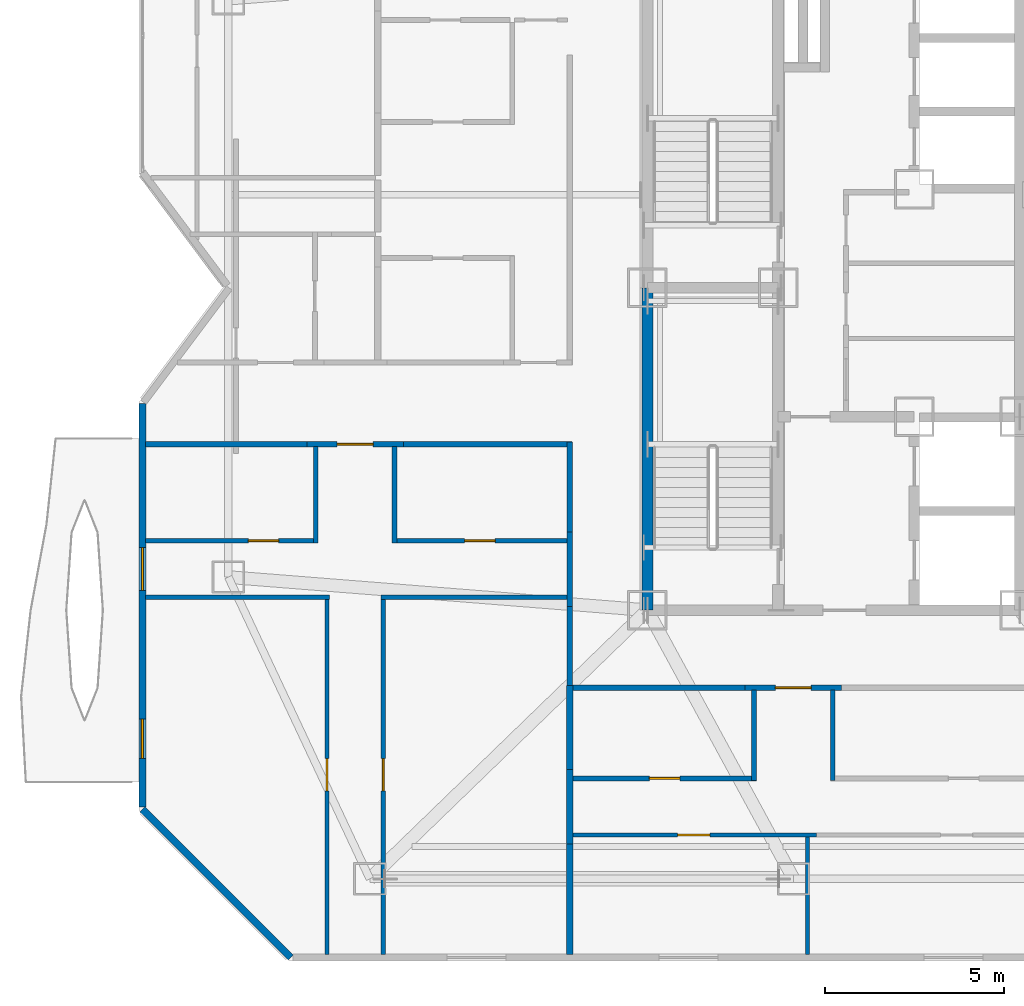
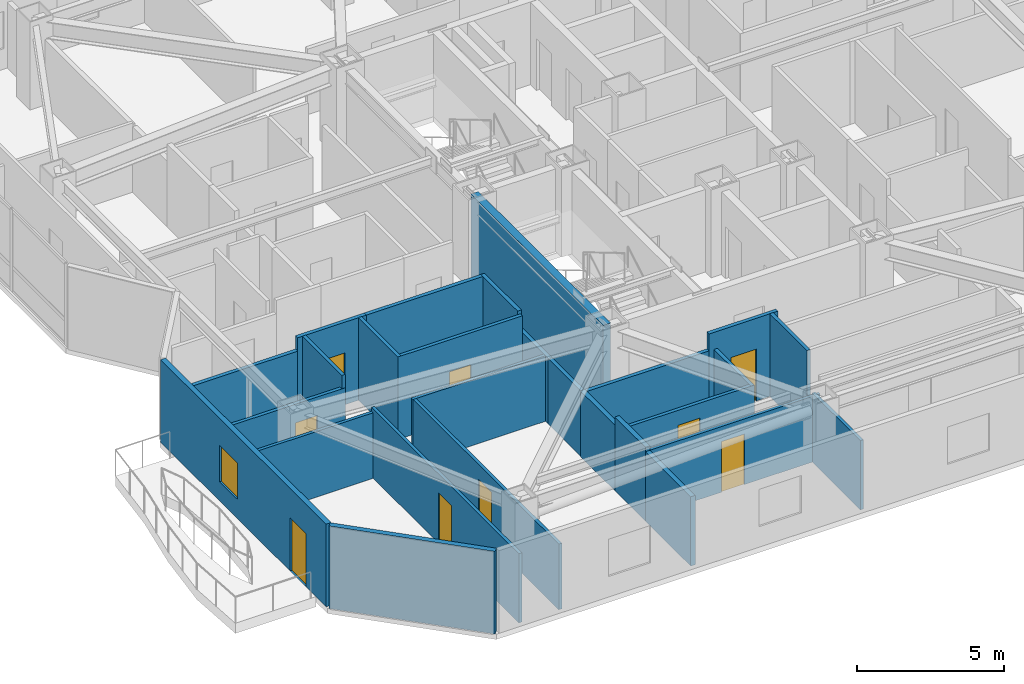
# One storey, part 11 of 18: 27 walls, 9 doors, 1 window, 10 openings.
"""IFC4 building model written with IfcOpenShell, lengths in metres."""

from ifc_helpers import new_model, si_unit, direction, frame, frame_2d, origin, place, context, subcontext, project, spatial, rectangle, extrude, material, layer, layer_set, type_object, element, fill, save


model = new_model("IFC4")

# Units and contexts
model_context = context("Model", 3, precision=1e-05, world=origin(), true_north=direction((0.0, 1.0)))
body_context = subcontext(model_context, "Body", "Model", "MODEL_VIEW")
ifc_project = project(units=[si_unit("LENGTHUNIT", "METRE"), si_unit("AREAUNIT", "SQUARE_METRE"), si_unit("VOLUMEUNIT", "CUBIC_METRE"), si_unit("PLANEANGLEUNIT", "RADIAN"), si_unit("MASSUNIT", "GRAM", prefix="KILO")], contexts=[model_context])

# Site, building, storey
site_placement = place(None, origin())
site = spatial("IfcSite", under=ifc_project, at=site_placement, CompositionType="ELEMENT")
building_placement = place(site_placement, origin())
building = spatial("IfcBuilding", under=site, at=building_placement, Name="Khamvora Tower", CompositionType="ELEMENT")
storey_placement = place(building_placement, frame((0.0, 0.0, 181.449951171875)))
storey = spatial("IfcBuildingStorey", under=building, at=storey_placement, Name="L46", CompositionType="ELEMENT", Elevation=181.449951171875)

# Walls
ifc_material_1 = material(Name="Concrete C50/60", Category="concrete")
ifc_layer_1 = layer(ifc_material_1, 0.300048828125)
ifc_layer_set_1 = layer_set([ifc_layer_1], Name="Concrete C50/60")
wall_type_1 = type_object("IfcWallType", Name="WAL-CORE-300", PredefinedType="SHEAR", material=ifc_layer_set_1)
wall_1_placement = place(storey_placement, frame((29.0, 19.0, 0.0), z_axis=(0.0, 0.0, 1.0), x_axis=(0.0, 1.0, 0.0)))
element("IfcWall", 1, at=wall_1_placement, inside=storey, type_object=wall_type_1, Name="L46 central core west south wall", PredefinedType="SHEAR", context=body_context, shape_type="SweptSolid", body=[
    extrude(rectangle(XDim=9.0, YDim=0.300048828125, at=frame_2d((4.5, 0.0))), origin(), (0.0, 0.0, 1.0), 3.429931640625),
])
ifc_material_2 = material(Name="Fire-Rated Drywall and Steel Stud", Category="steel")
ifc_layer_2 = layer(ifc_material_2, 0.14990234375)
ifc_layer_set_2 = layer_set([ifc_layer_2], Name="Fire-Rated Drywall and Steel Stud")
wall_type_2 = type_object("IfcWallType", Name="WAL-CORR-150", PredefinedType="STANDARD", material=ifc_layer_set_2)
wall_2_placement = place(storey_placement, frame((26.8349609375, 19.10888671875, 0.0), z_axis=(0.0, 0.0, 1.0), x_axis=(0.0, 1.0, 0.0)))
element("IfcWall", 2, at=wall_2_placement, inside=storey, type_object=wall_type_2, Name="L46 interior partition wall 008", PredefinedType="STANDARD", context=body_context, shape_type="SweptSolid", body=[
    extrude(rectangle(XDim=2.078125, YDim=0.14990234375, at=frame_2d((1.0390625, 0.0))), origin(), (0.0, 0.0, 1.0), 2.72509765625),
])

# Wall, opening, door
wall_3_placement = place(storey_placement, frame((22.18896484375, 23.635009765625, 0.0), z_axis=(0.0, 0.0, 1.0), x_axis=(-1.0, 0.0, 0.0)))
wall_3 = element("IfcWall", 3, at=wall_3_placement, inside=storey, type_object=wall_type_2, Name="L46 interior partition wall 009", PredefinedType="STANDARD", context=body_context, shape_type="SweptSolid", body=[
    extrude(rectangle(XDim=2.697998046875, YDim=0.14990234375, at=frame_2d((1.34912109375, 0.0))), origin(), (0.0, 0.0, 1.0), 3.429931640625),
])
opening_1_placement = place(wall_3_placement, frame((0.84912109375, 0.0, 0.0)))
opening_1 = element("IfcOpeningElement", 4, at=opening_1_placement, cuts=wall_3, Name="Opening D-U1", PredefinedType="OPENING", context=body_context, shape_type="SweptSolid", body=[
    extrude(rectangle(XDim=1.0, YDim=2.14990234375, at=frame_2d((0.5, 1.074951171875))), frame((0.0, 0.0849609375, 0.0), z_axis=(0.0, -1.0, 0.0), x_axis=(1.0, 0.0, 0.0)), (0.0, 0.0, 1.0), 0.169921875),
])
ifc_material_3 = material(Name="Powder-Coated Steel and Hardwood Leaf", Category="steel")
door_type_1 = type_object("IfcDoorType", Name="DOR-UNIT-1000", OperationType="NOTDEFINED", PredefinedType="DOOR", material=ifc_material_3)
door_1_placement = place(opening_1_placement, origin())
door_1 = element("IfcDoor", 5, at=door_1_placement, inside=storey, type_object=door_type_1, Name="L46 interior door COR-46WAH", OperationType="SINGLE_SWING_LEFT", OverallHeight=2.14990234375, OverallWidth=1.0, PredefinedType="DOOR", context=body_context, shape_type="SweptSolid", body=[
    extrude(rectangle(XDim=1.0, YDim=2.14990234375, at=frame_2d((0.5, 1.074951171875))), frame((0.0, 0.02490234375, 0.0), z_axis=(0.0, -1.0, 0.0), x_axis=(1.0, 0.0, 0.0)), (0.0, 0.0, 1.0), 0.050048828125),
])
fill(opening_1, door_1)

# Walls
wall_4_placement = place(storey_placement, frame((19.490966796875, 23.635009765625, 0.0), z_axis=(0.0, 0.0, 1.0), x_axis=(-1.0, 0.0, 0.0)))
element("IfcWall", 6, at=wall_4_placement, inside=storey, type_object=wall_type_2, Name="L46 interior partition wall 010", PredefinedType="STANDARD", context=body_context, shape_type="SweptSolid", body=[
    extrude(rectangle(XDim=4.4990234375, YDim=0.14990234375, at=frame_2d((2.24951171875, 0.0))), origin(), (0.0, 0.0, 1.0), 2.8759765625),
])
wall_5_placement = place(storey_placement, frame((26.8349609375, 21.18701171875, 0.0), z_axis=(0.0, 0.0, 1.0), x_axis=(0.0, 1.0, 0.0)))
element("IfcWall", 7, at=wall_5_placement, inside=storey, type_object=wall_type_2, Name="L46 interior partition wall 011", PredefinedType="STANDARD", context=body_context, shape_type="SweptSolid", body=[
    extrude(rectangle(XDim=2.512939453125, YDim=0.14990234375, at=frame_2d((1.25634765625, 0.0))), origin(), (0.0, 0.0, 1.0), 3.429931640625),
])
wall_6_placement = place(storey_placement, frame((26.89794921875, 23.635009765625, 0.0), z_axis=(0.0, 0.0, 1.0), x_axis=(-1.0, 0.0, 0.0)))
element("IfcWall", 8, at=wall_6_placement, inside=storey, type_object=wall_type_2, Name="L46 interior partition wall 012", PredefinedType="STANDARD", context=body_context, shape_type="SweptSolid", body=[
    extrude(rectangle(XDim=4.708984375, YDim=0.14990234375, at=frame_2d((2.3544921875, 0.0))), origin(), (0.0, 0.0, 1.0), 3.429931640625),
])
wall_7_placement = place(storey_placement, frame((26.8349609375, 16.89990234375, 0.0), z_axis=(0.0, 0.0, 1.0), x_axis=(0.0, 1.0, 0.0)))
element("IfcWall", 9, at=wall_7_placement, inside=storey, type_object=wall_type_2, Name="L46 interior partition wall 013", PredefinedType="STANDARD", context=body_context, shape_type="SweptSolid", body=[
    extrude(rectangle(XDim=2.208984375, YDim=0.14990234375, at=frame_2d((1.1044921875, 0.0))), origin(), (0.0, 0.0, 1.0), 2.72509765625),
])

# Wall, opening, door
wall_8_placement = place(storey_placement, frame((34.424072265625, 16.8349609375, 0.0), z_axis=(0.0, 0.0, 1.0), x_axis=(-1.0, 0.0, 0.0)))
wall_8 = element("IfcWall", 10, at=wall_8_placement, inside=storey, type_object=wall_type_2, Name="L46 interior partition wall 019", PredefinedType="STANDARD", context=body_context, shape_type="SweptSolid", body=[
    extrude(rectangle(XDim=2.697998046875, YDim=0.14990234375, at=frame_2d((1.34912109375, 0.0))), origin(), (0.0, 0.0, 1.0), 3.429931640625),
])
opening_2_placement = place(wall_8_placement, frame((0.84912109375, 0.0, 0.0)))
opening_2 = element("IfcOpeningElement", 11, at=opening_2_placement, cuts=wall_8, Name="Opening D-U1", PredefinedType="OPENING", context=body_context, shape_type="SweptSolid", body=[
    extrude(rectangle(XDim=1.0, YDim=2.14990234375, at=frame_2d((0.5, 1.074951171875))), frame((0.0, 0.0849609375, 0.0), z_axis=(0.0, -1.0, 0.0), x_axis=(1.0, 0.0, 0.0)), (0.0, 0.0, 1.0), 0.169921875),
])
door_2_placement = place(opening_2_placement, origin())
door_2 = element("IfcDoor", 12, at=door_2_placement, inside=storey, type_object=door_type_1, Name="L46 interior door COR-46SAH", OperationType="SINGLE_SWING_RIGHT", OverallHeight=2.14990234375, OverallWidth=1.0, PredefinedType="DOOR", context=body_context, shape_type="SweptSolid", body=[
    extrude(rectangle(XDim=1.0, YDim=2.14990234375, at=frame_2d((0.5, 1.074951171875))), frame((0.0, 0.02490234375, 0.0), z_axis=(0.0, -1.0, 0.0), x_axis=(1.0, 0.0, 0.0)), (0.0, 0.0, 1.0), 0.050048828125),
])
fill(opening_2, door_2)

# Walls
wall_9_placement = place(storey_placement, frame((31.72607421875, 16.8349609375, 0.0), z_axis=(0.0, 0.0, 1.0), x_axis=(-1.0, 0.0, 0.0)))
element("IfcWall", 13, at=wall_9_placement, inside=storey, type_object=wall_type_2, Name="L46 interior partition wall 020", PredefinedType="STANDARD", context=body_context, shape_type="SweptSolid", body=[
    extrude(rectangle(XDim=4.826171875, YDim=0.14990234375, at=frame_2d((2.4130859375, 0.0))), origin(), (0.0, 0.0, 1.0), 2.72509765625),
])
ifc_material_4 = material(Name="Acoustic Double-Stud Fire Wall", Category="gypsum")
ifc_layer_3 = layer(ifc_material_4, 0.179931640625)
ifc_layer_set_3 = layer_set([ifc_layer_3], Name="Acoustic Double-Stud Fire Wall")
wall_type_3 = type_object("IfcWallType", Name="WAL-CORR-180", PredefinedType="STANDARD", material=ifc_layer_set_3)
wall_10_placement = place(storey_placement, frame((26.8349609375, 14.553955078125, 0.0), z_axis=(0.0, 0.0, 1.0), x_axis=(0.0, -1.0, 0.0)))
element("IfcWall", 14, at=wall_10_placement, inside=storey, type_object=wall_type_3, Name="L46 interior partition wall 055", PredefinedType="STANDARD", context=body_context, shape_type="SweptSolid", body=[
    extrude(rectangle(XDim=2.077880859375, YDim=0.179931640625, at=frame_2d((1.0390625, 0.0))), origin(), (0.0, 0.0, 1.0), 3.06494140625),
])
wall_11_placement = place(storey_placement, frame((26.8349609375, 16.89990234375, 0.0), z_axis=(0.0, 0.0, 1.0), x_axis=(0.0, -1.0, 0.0)))
element("IfcWall", 15, at=wall_11_placement, inside=storey, type_object=wall_type_3, Name="L46 interior partition wall 056", PredefinedType="STANDARD", context=body_context, shape_type="SweptSolid", body=[
    extrude(rectangle(XDim=2.345947265625, YDim=0.179931640625, at=frame_2d((1.1728515625, 0.0))), origin(), (0.0, 0.0, 1.0), 2.72509765625),
])
wall_12_placement = place(storey_placement, frame((26.8349609375, 12.47607421875, 0.0), z_axis=(0.0, 0.0, 1.0), x_axis=(0.0, -1.0, 0.0)))
element("IfcWall", 16, at=wall_12_placement, inside=storey, type_object=wall_type_3, Name="L46 interior partition wall 057", PredefinedType="STANDARD", context=body_context, shape_type="SweptSolid", body=[
    extrude(rectangle(XDim=3.083984375, YDim=0.179931640625, at=frame_2d((1.5419921875, 0.0))), origin(), (0.0, 0.0, 1.0), 2.8759765625),
])
ifc_material_5 = material(Name="Precast concrete C40/50", Category="concrete")
ifc_layer_4 = layer(ifc_material_5, 0.199951171875)
ifc_layer_set_4 = layer_set([ifc_layer_4], Name="Precast concrete C40/50")
wall_type_4 = type_object("IfcWallType", Name="WAL-EXT-200", PredefinedType="STANDARD", material=ifc_layer_set_4)
wall_13_placement = place(storey_placement, frame((19.041015625, 9.300048828125, 0.0), z_axis=(0.0, 0.0, 1.0), x_axis=(-0.707127625344, 0.707085936414, 0.0)))
element("IfcWall", 17, at=wall_13_placement, inside=storey, type_object=wall_type_4, Name="L46 exterior facade wall 01.1", PredefinedType="STANDARD", context=body_context, shape_type="SweptSolid", body=[
    extrude(rectangle(XDim=5.856201171875, YDim=0.199951171875, at=frame_2d((2.92822265625, 0.0))), origin(), (0.0, 0.0, 1.0), 3.429931640625),
])

# Wall, openings, door, window
wall_14_placement = place(storey_placement, frame((14.89990234375, 13.50390625, 0.0), z_axis=(0.0, 0.0, 1.0), x_axis=(0.0, 1.0, 0.0)))
wall_14 = element("IfcWall", 18, at=wall_14_placement, inside=storey, type_object=wall_type_4, Name="L46 exterior facade wall 02.1", PredefinedType="STANDARD", context=body_context, shape_type="SweptSolid", body=[
    extrude(rectangle(XDim=11.26318359375, YDim=0.199951171875, at=frame_2d((5.631591796875, 0.0))), origin(), (0.0, 0.0, 1.0), 3.429931640625),
])
opening_3_placement = place(wall_14_placement, frame((1.35693359375, 0.0, 0.0)))
opening_3 = element("IfcOpeningElement", 19, at=opening_3_placement, cuts=wall_14, Name="Opening BD-01", PredefinedType="OPENING", context=body_context, shape_type="SweptSolid", body=[
    extrude(rectangle(XDim=1.10009765625, YDim=2.199951171875, at=frame_2d((0.550048828125, 1.10009765625))), frame((0.0, 0.10986328125, 0.0), z_axis=(0.0, -1.0, 0.0), x_axis=(1.0, 0.0, 0.0)), (0.0, 0.0, 1.0), 0.219970703125),
])
opening_4_placement = place(wall_14_placement, frame((6.0439453125, 0.0, 0.800048828125)))
opening_4 = element("IfcOpeningElement", 20, at=opening_4_placement, cuts=wall_14, Name="Opening WN-03", PredefinedType="OPENING", context=body_context, shape_type="SweptSolid", body=[
    extrude(rectangle(XDim=1.199951171875, YDim=1.5, at=frame_2d((0.60009765625, 0.75))), frame((0.0, 0.10986328125, 0.0), z_axis=(0.0, -1.0, 0.0), x_axis=(1.0, 0.0, 0.0)), (0.0, 0.0, 1.0), 0.219970703125),
])
ifc_material_6 = material(Name="Anodised Aluminium and Laminated Safety Glass", Category="aluminium")
door_type_2 = type_object("IfcDoorType", Name="DOR-BAL-1100", OperationType="NOTDEFINED", PredefinedType="DOOR", material=ifc_material_6)
door_3_placement = place(opening_3_placement, origin())
door_3 = element("IfcDoor", 21, at=door_3_placement, inside=storey, type_object=door_type_2, Name="L46 lens gallery balcony door WL1", OperationType="SLIDING_TO_LEFT", OverallHeight=2.199951171875, OverallWidth=1.10009765625, PredefinedType="DOOR", context=body_context, shape_type="SweptSolid", body=[
    extrude(rectangle(XDim=1.10009765625, YDim=2.199951171875, at=frame_2d((0.550048828125, 1.10009765625))), frame((0.0, 0.02490234375, 0.0), z_axis=(0.0, -1.0, 0.0), x_axis=(1.0, 0.0, 0.0)), (0.0, 0.0, 1.0), 0.050048828125),
])
fill(opening_3, door_3)
ifc_material_7 = material(Name="Low-E Laminated Double Glazing", Category="glass")
window_type = type_object("IfcWindowType", Name="WIN-VIS-1200x1500", PartitioningType="SINGLE_PANEL", PredefinedType="WINDOW", material=ifc_material_7)
window_placement = place(opening_4_placement, origin())
window = element("IfcWindow", 22, at=window_placement, inside=storey, type_object=window_type, Name="L46 vision window 02.1.01", OverallHeight=1.5, OverallWidth=1.199951171875, PartitioningType="SINGLE_PANEL", PredefinedType="WINDOW", context=body_context, shape_type="SweptSolid", body=[
    extrude(rectangle(XDim=1.199951171875, YDim=1.5, at=frame_2d((0.60009765625, 0.75))), frame((0.0, 0.030029296875, 0.0), z_axis=(0.0, -1.0, 0.0), x_axis=(1.0, 0.0, 0.0)), (0.0, 0.0, 1.0), 0.06005859375),
])
fill(opening_4, window)

# Wall, opening, door
ifc_material_8 = material(Name="Gypsum Plasterboard Partition", Category="gypsum")
ifc_layer_5 = layer(ifc_material_8, 0.1201171875)
ifc_layer_set_5 = layer_set([ifc_layer_5], Name="Gypsum Plasterboard Partition")
wall_type_5 = type_object("IfcWallType", Name="WAL-PART-120", PredefinedType="PARTITIONING", material=ifc_layer_set_5)
wall_15_placement = place(storey_placement, frame((20.054931640625, 9.39208984375, 0.0), z_axis=(0.0, 0.0, 1.0), x_axis=(0.0, 1.0, 0.0)))
wall_15 = element("IfcWall", 23, at=wall_15_placement, inside=storey, type_object=wall_type_5, Name="L46 interior partition wall 051", PredefinedType="PARTITIONING", context=body_context, shape_type="SweptSolid", body=[
    extrude(rectangle(XDim=10.031005859375, YDim=0.1201171875, at=frame_2d((5.015625, 0.0))), origin(), (0.0, 0.0, 1.0), 2.8759765625),
])
opening_5_placement = place(wall_15_placement, frame((4.56591796875, 0.0, 0.0)))
opening_5 = element("IfcOpeningElement", 24, at=opening_5_placement, cuts=wall_15, Name="Opening D-RM1", PredefinedType="OPENING", context=body_context, shape_type="SweptSolid", body=[
    extrude(rectangle(XDim=0.89990234375, YDim=2.10009765625, at=frame_2d((0.449951171875, 1.050048828125))), frame((0.0, 0.070068359375, 0.0), z_axis=(0.0, -1.0, 0.0), x_axis=(1.0, 0.0, 0.0)), (0.0, 0.0, 1.0), 0.14013671875),
])
door_type_3 = type_object("IfcDoorType", Name="DOR-ROOM-900", OperationType="NOTDEFINED", PredefinedType="DOOR", material=ifc_material_3)
door_4_placement = place(opening_5_placement, origin())
door_4 = element("IfcDoor", 25, at=door_4_placement, inside=storey, type_object=door_type_3, Name="L46 interior door 46WAH-46WAR1", OperationType="SINGLE_SWING_LEFT", OverallHeight=2.10009765625, OverallWidth=0.89990234375, PredefinedType="DOOR", context=body_context, shape_type="SweptSolid", body=[
    extrude(rectangle(XDim=0.89990234375, YDim=2.10009765625, at=frame_2d((0.449951171875, 1.050048828125))), frame((0.0, 0.02490234375, 0.0), z_axis=(0.0, -1.0, 0.0), x_axis=(1.0, 0.0, 0.0)), (0.0, 0.0, 1.0), 0.050048828125),
])
fill(opening_5, door_4)

# Wall
wall_16_placement = place(storey_placement, frame((20.1201171875, 19.35791015625, 0.0), z_axis=(0.0, 0.0, 1.0), x_axis=(-1.0, 0.0, 0.0)))
element("IfcWall", 26, at=wall_16_placement, inside=storey, type_object=wall_type_5, Name="L46 interior partition wall 052", PredefinedType="PARTITIONING", context=body_context, shape_type="SweptSolid", body=[
    extrude(rectangle(XDim=5.128173828125, YDim=0.1201171875, at=frame_2d((2.56396484375, 0.0))), origin(), (0.0, 0.0, 1.0), 2.72509765625),
])

# Wall, opening, door
wall_17_placement = place(storey_placement, frame((21.625, 19.423095703125, 0.0), z_axis=(0.0, 0.0, 1.0), x_axis=(0.0, -1.0, 0.0)))
wall_17 = element("IfcWall", 27, at=wall_17_placement, inside=storey, type_object=wall_type_5, Name="L46 interior partition wall 053", PredefinedType="PARTITIONING", context=body_context, shape_type="SweptSolid", body=[
    extrude(rectangle(XDim=10.031005859375, YDim=0.1201171875, at=frame_2d((5.015625, 0.0))), origin(), (0.0, 0.0, 1.0), 2.72509765625),
])
opening_6_placement = place(wall_17_placement, frame((4.56591796875, 0.0, 0.0)))
opening_6 = element("IfcOpeningElement", 28, at=opening_6_placement, cuts=wall_17, Name="Opening D-RM1", PredefinedType="OPENING", context=body_context, shape_type="SweptSolid", body=[
    extrude(rectangle(XDim=0.89990234375, YDim=2.10009765625, at=frame_2d((0.449951171875, 1.050048828125))), frame((0.0, 0.070068359375, 0.0), z_axis=(0.0, -1.0, 0.0), x_axis=(1.0, 0.0, 0.0)), (0.0, 0.0, 1.0), 0.14013671875),
])
door_5_placement = place(opening_6_placement, origin())
door_5 = element("IfcDoor", 29, at=door_5_placement, inside=storey, type_object=door_type_3, Name="L46 interior door 46WAH-46WAR2", OperationType="SINGLE_SWING_RIGHT", OverallHeight=2.10009765625, OverallWidth=0.89990234375, PredefinedType="DOOR", context=body_context, shape_type="SweptSolid", body=[
    extrude(rectangle(XDim=0.89990234375, YDim=2.10009765625, at=frame_2d((0.449951171875, 1.050048828125))), frame((0.0, 0.02490234375, 0.0), z_axis=(0.0, -1.0, 0.0), x_axis=(1.0, 0.0, 0.0)), (0.0, 0.0, 1.0), 0.050048828125),
])
fill(opening_6, door_5)

# Wall
wall_18_placement = place(storey_placement, frame((26.77001953125, 19.35791015625, 0.0), z_axis=(0.0, 0.0, 1.0), x_axis=(-1.0, 0.0, 0.0)))
element("IfcWall", 30, at=wall_18_placement, inside=storey, type_object=wall_type_5, Name="L46 interior partition wall 054", PredefinedType="PARTITIONING", context=body_context, shape_type="SweptSolid", body=[
    extrude(rectangle(XDim=5.2099609375, YDim=0.1201171875, at=frame_2d((2.60498046875, 0.0))), origin(), (0.0, 0.0, 1.0), 2.72509765625),
])

# Wall, opening, door
wall_19_placement = place(storey_placement, frame((33.718994140625, 12.72509765625, 0.0), z_axis=(0.0, 0.0, 1.0), x_axis=(-1.0, 0.0, 0.0)))
wall_19 = element("IfcWall", 31, at=wall_19_placement, inside=storey, type_object=wall_type_5, Name="L46 interior partition wall 083", PredefinedType="PARTITIONING", context=body_context, shape_type="SweptSolid", body=[
    extrude(rectangle(XDim=6.802001953125, YDim=0.1201171875, at=frame_2d((3.40087890625, 0.0))), origin(), (0.0, 0.0, 1.0), 2.72509765625),
])
opening_7_placement = place(wall_19_placement, frame((2.971923828125, 0.0, 0.0)))
opening_7 = element("IfcOpeningElement", 32, at=opening_7_placement, cuts=wall_19, Name="Opening D-RM1", PredefinedType="OPENING", context=body_context, shape_type="SweptSolid", body=[
    extrude(rectangle(XDim=0.89990234375, YDim=2.10009765625, at=frame_2d((0.449951171875, 1.050048828125))), frame((0.0, 0.070068359375, 0.0), z_axis=(0.0, -1.0, 0.0), x_axis=(1.0, 0.0, 0.0)), (0.0, 0.0, 1.0), 0.14013671875),
])
door_6_placement = place(opening_7_placement, origin())
door_6 = element("IfcDoor", 33, at=door_6_placement, inside=storey, type_object=door_type_3, Name="L46 interior door 46SAH-46SAL", OperationType="SINGLE_SWING_LEFT", OverallHeight=2.10009765625, OverallWidth=0.89990234375, PredefinedType="DOOR", context=body_context, shape_type="SweptSolid", body=[
    extrude(rectangle(XDim=0.89990234375, YDim=2.10009765625, at=frame_2d((0.449951171875, 1.050048828125))), frame((0.0, 0.02490234375, 0.0), z_axis=(0.0, -1.0, 0.0), x_axis=(1.0, 0.0, 0.0)), (0.0, 0.0, 1.0), 0.050048828125),
])
fill(opening_7, door_6)

# Wall
wall_20_placement = place(storey_placement, frame((33.469970703125, 12.6708984375, 0.0), z_axis=(0.0, 0.0, 1.0), x_axis=(0.0, -1.0, 0.0)))
element("IfcWall", 34, at=wall_20_placement, inside=storey, type_object=wall_type_5, Name="L46 interior partition wall 087", PredefinedType="PARTITIONING", context=body_context, shape_type="SweptSolid", body=[
    extrude(rectangle(XDim=3.27880859375, YDim=0.1201171875, at=frame_2d((1.639404296875, 0.0))), origin(), (0.0, 0.0, 1.0), 2.8759765625),
])

# Wall, opening, door
ifc_material_9 = material(Name="Moisture-Resistant Plasterboard Partition", Category="gypsum")
ifc_layer_6 = layer(ifc_material_9, 0.135009765625)
ifc_layer_set_6 = layer_set([ifc_layer_6], Name="Moisture-Resistant Plasterboard Partition")
wall_type_6 = type_object("IfcWallType", Name="WAL-WET-135", PredefinedType="PARTITIONING", material=ifc_layer_set_6)
wall_21_placement = place(storey_placement, frame((14.991943359375, 20.93798828125, 0.0), z_axis=(0.0, 0.0, 1.0), x_axis=(1.0, 0.0, 0.0)))
wall_21 = element("IfcWall", 35, at=wall_21_placement, inside=storey, type_object=wall_type_6, Name="L46 interior partition wall 047", PredefinedType="PARTITIONING", context=body_context, shape_type="SweptSolid", body=[
    extrude(rectangle(XDim=4.81298828125, YDim=0.135009765625, at=frame_2d((2.406494140625, 0.0))), origin(), (0.0, 0.0, 1.0), 2.8759765625),
])
opening_8_placement = place(wall_21_placement, frame((2.864990234375, 0.0, 0.0)))
opening_8 = element("IfcOpeningElement", 36, at=opening_8_placement, cuts=wall_21, Name="Opening D-WC1", PredefinedType="OPENING", context=body_context, shape_type="SweptSolid", body=[
    extrude(rectangle(XDim=0.85009765625, YDim=2.10009765625, at=frame_2d((0.425048828125, 1.050048828125))), frame((0.0, 0.077392578125, 0.0), z_axis=(0.0, -1.0, 0.0), x_axis=(1.0, 0.0, 0.0)), (0.0, 0.0, 1.0), 0.155029296875),
])
door_type_4 = type_object("IfcDoorType", Name="DOR-WET-850", OperationType="NOTDEFINED", PredefinedType="DOOR", material=ifc_material_3)
door_7_placement = place(opening_8_placement, origin())
door_7 = element("IfcDoor", 37, at=door_7_placement, inside=storey, type_object=door_type_4, Name="L46 interior door 46WAH-46WAB", OperationType="SINGLE_SWING_RIGHT", OverallHeight=2.10009765625, OverallWidth=0.85009765625, PredefinedType="DOOR", context=body_context, shape_type="SweptSolid", body=[
    extrude(rectangle(XDim=0.85009765625, YDim=2.10009765625, at=frame_2d((0.425048828125, 1.050048828125))), frame((0.0, 0.02490234375, 0.0), z_axis=(0.0, -1.0, 0.0), x_axis=(1.0, 0.0, 0.0)), (0.0, 0.0, 1.0), 0.050048828125),
])
fill(opening_8, door_7)

# Walls
for number, where, z_axis, x_axis, name in (
    (38, (19.739990234375, 20.873046875, 0.0), (0.0, 0.0, 1.0), (0.0, 1.0, 0.0), "L46 interior partition wall 048"),
    (39, (21.93994140625, 23.570068359375, 0.0), (0.0, 0.0, 1.0), (0.0, -1.0, 0.0), "L46 interior partition wall 049"),
):
    element("IfcWall", number, at=place(storey_placement, frame(where, z_axis=z_axis, x_axis=x_axis)), inside=storey, type_object=wall_type_6, Name=name, PredefinedType="PARTITIONING", context=body_context, shape_type="SweptSolid", body=[
        extrude(rectangle(XDim=2.697021484375, YDim=0.135009765625, at=frame_2d((1.3486328125, 0.0))), origin(), (0.0, 0.0, 1.0), 3.429931640625),
    ])

# Wall, opening, door
wall_22_placement = place(storey_placement, frame((21.875, 20.93798828125, 0.0), z_axis=(0.0, 0.0, 1.0), x_axis=(1.0, 0.0, 0.0)))
wall_22 = element("IfcWall", 40, at=wall_22_placement, inside=storey, type_object=wall_type_6, Name="L46 interior partition wall 050", PredefinedType="PARTITIONING", context=body_context, shape_type="SweptSolid", body=[
    extrude(rectangle(XDim=4.89501953125, YDim=0.135009765625, at=frame_2d((2.447509765625, 0.0))), origin(), (0.0, 0.0, 1.0), 3.429931640625),
])
opening_9_placement = place(wall_22_placement, frame((2.02197265625, 0.0, 0.0)))
opening_9 = element("IfcOpeningElement", 41, at=opening_9_placement, cuts=wall_22, Name="Opening D-RM2", PredefinedType="OPENING", context=body_context, shape_type="SweptSolid", body=[
    extrude(rectangle(XDim=0.85009765625, YDim=2.10009765625, at=frame_2d((0.425048828125, 1.050048828125))), frame((0.0, 0.077392578125, 0.0), z_axis=(0.0, -1.0, 0.0), x_axis=(1.0, 0.0, 0.0)), (0.0, 0.0, 1.0), 0.155029296875),
])
door_type_5 = type_object("IfcDoorType", Name="DOR-ROOM-850", OperationType="NOTDEFINED", PredefinedType="DOOR", material=ifc_material_3)
door_8_placement = place(opening_9_placement, origin())
door_8 = element("IfcDoor", 42, at=door_8_placement, inside=storey, type_object=door_type_5, Name="L46 interior door 46WAH-46WAK", OperationType="SINGLE_SWING_RIGHT", OverallHeight=2.10009765625, OverallWidth=0.85009765625, PredefinedType="DOOR", context=body_context, shape_type="SweptSolid", body=[
    extrude(rectangle(XDim=0.85009765625, YDim=2.10009765625, at=frame_2d((0.425048828125, 1.050048828125))), frame((0.0, 0.02490234375, 0.0), z_axis=(0.0, -1.0, 0.0), x_axis=(1.0, 0.0, 0.0)), (0.0, 0.0, 1.0), 0.050048828125),
])
fill(opening_9, door_8)

wall_23_placement = place(storey_placement, frame((26.9169921875, 14.304931640625, 0.0), z_axis=(0.0, 0.0, 1.0), x_axis=(1.0, 0.0, 0.0)))
wall_23 = element("IfcWall", 43, at=wall_23_placement, inside=storey, type_object=wall_type_6, Name="L46 interior partition wall 079", PredefinedType="PARTITIONING", context=body_context, shape_type="SweptSolid", body=[
    extrude(rectangle(XDim=5.123046875, YDim=0.135009765625, at=frame_2d((2.5615234375, 0.0))), origin(), (0.0, 0.0, 1.0), 2.72509765625),
])
opening_10_placement = place(wall_23_placement, frame((2.136962890625, 0.0, 0.0)))
opening_10 = element("IfcOpeningElement", 44, at=opening_10_placement, cuts=wall_23, Name="Opening D-WC1", PredefinedType="OPENING", context=body_context, shape_type="SweptSolid", body=[
    extrude(rectangle(XDim=0.85009765625, YDim=2.10009765625, at=frame_2d((0.425048828125, 1.050048828125))), frame((0.0, 0.077392578125, 0.0), z_axis=(0.0, -1.0, 0.0), x_axis=(1.0, 0.0, 0.0)), (0.0, 0.0, 1.0), 0.155029296875),
])
door_9_placement = place(opening_10_placement, origin())
door_9 = element("IfcDoor", 45, at=door_9_placement, inside=storey, type_object=door_type_4, Name="L46 interior door 46SAH-46SAB", OperationType="SINGLE_SWING_LEFT", OverallHeight=2.10009765625, OverallWidth=0.85009765625, PredefinedType="DOOR", context=body_context, shape_type="SweptSolid", body=[
    extrude(rectangle(XDim=0.85009765625, YDim=2.10009765625, at=frame_2d((0.425048828125, 1.050048828125))), frame((0.0, 0.02490234375, 0.0), z_axis=(0.0, -1.0, 0.0), x_axis=(1.0, 0.0, 0.0)), (0.0, 0.0, 1.0), 0.050048828125),
])
fill(opening_10, door_9)

# Walls
wall_24_placement = place(storey_placement, frame((31.97509765625, 14.239990234375, 0.0), z_axis=(0.0, 0.0, 1.0), x_axis=(0.0, 1.0, 0.0)))
element("IfcWall", 46, at=wall_24_placement, inside=storey, type_object=wall_type_6, Name="L46 interior partition wall 080", PredefinedType="PARTITIONING", context=body_context, shape_type="SweptSolid", body=[
    extrude(rectangle(XDim=2.530029296875, YDim=0.135009765625, at=frame_2d((1.26513671875, 0.0))), origin(), (0.0, 0.0, 1.0), 2.72509765625),
])
wall_25_placement = place(storey_placement, frame((34.175048828125, 16.77001953125, 0.0), z_axis=(0.0, 0.0, 1.0), x_axis=(0.0, -1.0, 0.0)))
element("IfcWall", 47, at=wall_25_placement, inside=storey, type_object=wall_type_6, Name="L46 interior partition wall 081", PredefinedType="PARTITIONING", context=body_context, shape_type="SweptSolid", body=[
    extrude(rectangle(XDim=2.530029296875, YDim=0.135009765625, at=frame_2d((1.26513671875, 0.0))), origin(), (0.0, 0.0, 1.0), 3.429931640625),
])

save(model, "model.ifc")
